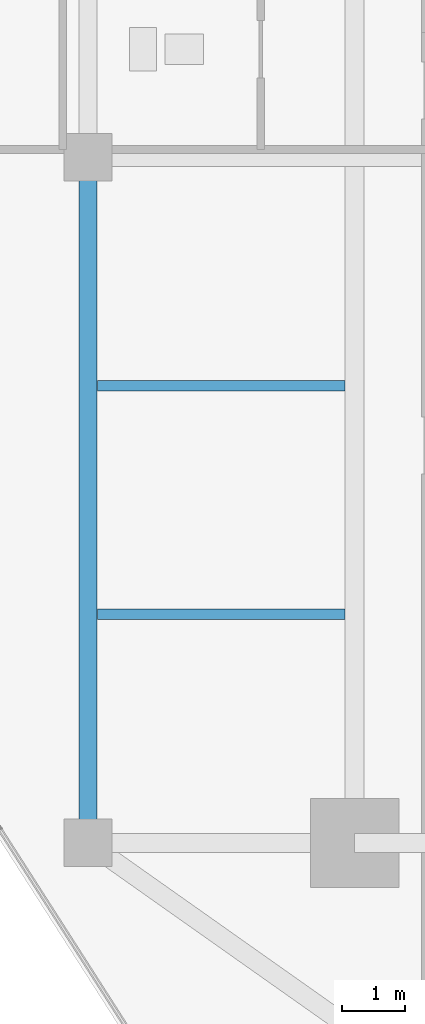
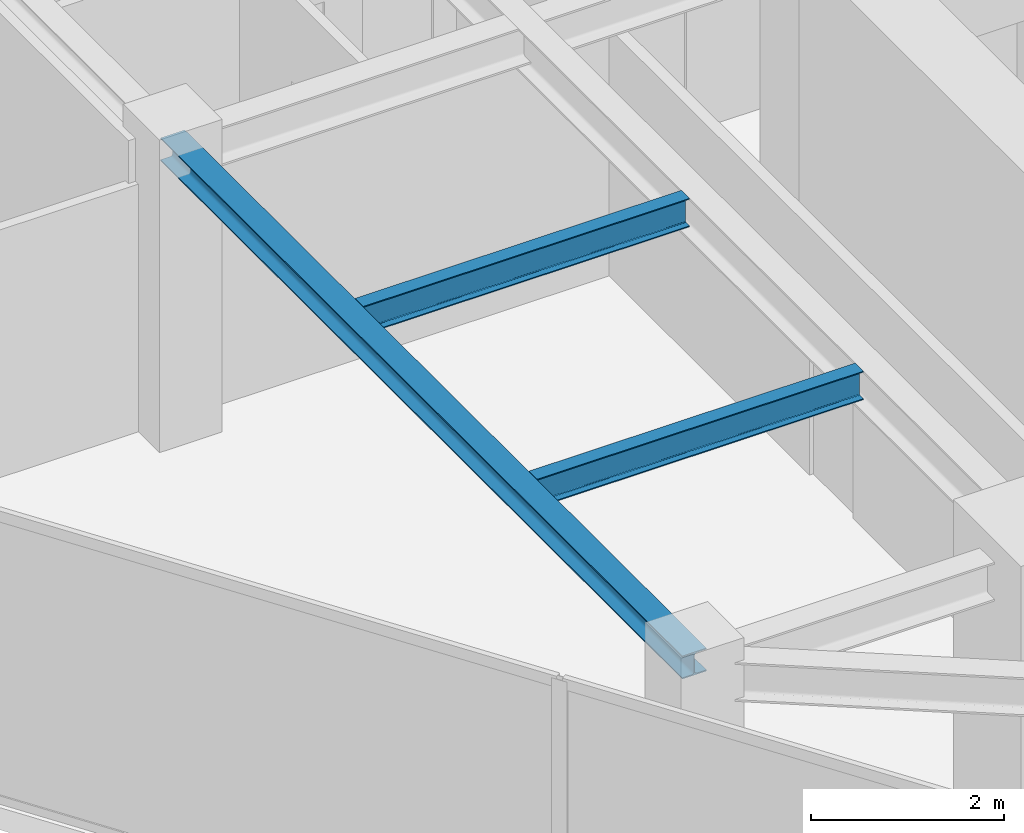
# One storey, part 5 of 20: 3 beams.
"""IFC4 building model written with IfcOpenShell, lengths in metres."""

from ifc_helpers import new_model, si_unit, direction, frame, origin, origin_2d, place, context, subcontext, project, spatial, i_section, extrude, source, transform, mapped, material, material_profile, profile_set, type_object, type_shapes, element, save


model = new_model("IFC4")

# Units and contexts
model_context = context("Model", 3, precision=1e-05, world=origin(), true_north=direction((0.0, 1.0)))
body_context = subcontext(model_context, "Body", "Model", "MODEL_VIEW")
ifc_project = project(units=[si_unit("LENGTHUNIT", "METRE"), si_unit("AREAUNIT", "SQUARE_METRE"), si_unit("VOLUMEUNIT", "CUBIC_METRE"), si_unit("PLANEANGLEUNIT", "RADIAN"), si_unit("MASSUNIT", "GRAM", prefix="KILO")], contexts=[model_context])

# Site, building, storey
site_placement = place(None, origin())
site = spatial("IfcSite", under=ifc_project, at=site_placement, CompositionType="ELEMENT")
building_placement = place(site_placement, origin())
building = spatial("IfcBuilding", under=site, at=building_placement, Name="Krantzveldt Concourse Tower", CompositionType="ELEMENT")
storey_placement = place(building_placement, frame((0.0, 0.0, 291.10009765625)))
storey = spatial("IfcBuildingStorey", under=building, at=storey_placement, Name="L71", CompositionType="ELEMENT", Elevation=291.10009765625)

# Beams
ifc_material = material(Name="Steel S355JR", Category="steel")
ifc_material_profile_1 = material_profile(ifc_material, i_section(OverallWidth=0.2900390625, OverallDepth=0.2900390625, WebThickness=0.008544921875, FlangeThickness=0.013916015625, FilletRadius=0.027099609375, at=origin_2d()), Name="Steel S355JR", Category="steel")
ifc_profile_set_1 = profile_set([ifc_material_profile_1], Name="Steel S355JR - HEA 300")
beam_type_1 = type_object("IfcBeamType", Name="BM-SP-HEA300", PredefinedType="SPANDREL", material=ifc_profile_set_1)
shared_shape_1 = source(origin(), body_context, "Body", "SweptSolid", [
    extrude(i_section(OverallWidth=0.2900390625, OverallDepth=0.2900390625, WebThickness=0.008544921875, FlangeThickness=0.013916015625, FilletRadius=0.027099609375, at=origin_2d()), origin(), (0.0, 0.0, 1.0), 10.800048828125),
])
type_shapes(beam_type_1, [shared_shape_1])
beam_placement = place(storey_placement, frame((21.0, 15.89990234375, 3.52490234375), z_axis=(0.0, 1.0, 0.0), x_axis=(-1.0, 0.0, 0.0)))
element("IfcBeam", 1, at=beam_placement, inside=storey, type_object=beam_type_1, Name="L71 Tower Girder SP-R01", PredefinedType="SPANDREL", context=body_context, shape_type="MappedRepresentation", body=[
    mapped(shared_shape_1, transform((0.0, 0.0, 0.0), x_axis=(1.0, 0.0, 0.0), y_axis=(0.0, 1.0, 0.0), z_axis=(0.0, 0.0, 1.0), scale=1.0)),
])
ifc_material_profile_2 = material_profile(ifc_material, i_section(OverallWidth=0.169921875, OverallDepth=0.360107421875, WebThickness=0.008056640625, FlangeThickness=0.0126953125, FilletRadius=0.01806640625, at=origin_2d()), Name="Steel S355JR", Category="steel")
ifc_profile_set_2 = profile_set([ifc_material_profile_2], Name="Steel S355JR - IPE 360")
beam_type_2 = type_object("IfcBeamType", Name="BM-J-IPE360", PredefinedType="JOIST", material=ifc_profile_set_2)
shared_shape_2 = source(origin(), body_context, "Body", "SweptSolid", [
    extrude(i_section(OverallWidth=0.169921875, OverallDepth=0.360107421875, WebThickness=0.008056640625, FlangeThickness=0.0126953125, FilletRadius=0.01806640625, at=origin_2d()), origin(), (0.0, 0.0, 1.0), 3.900146484375),
])
type_shapes(beam_type_2, [shared_shape_2])
for number, where, z_axis, x_axis, name in (
    (2, (21.14990234375, 19.5, 3.489990234375), (1.0, 0.0, 0.0), (0.0, 1.0, 0.0), "L71 Secondary Floor Joist JW-1"),
    (3, (21.14990234375, 23.10009765625, 3.489990234375), (1.0, 0.0, 0.0), (0.0, 1.0, 0.0), "L71 Secondary Floor Joist JW-2"),
):
    element("IfcBeam", number, at=place(storey_placement, frame(where, z_axis=z_axis, x_axis=x_axis)), inside=storey, type_object=beam_type_2, Name=name, PredefinedType="JOIST", context=body_context, shape_type="MappedRepresentation", body=[
        mapped(shared_shape_2, transform((0.0, 0.0, 0.0), x_axis=(1.0, 0.0, 0.0), y_axis=(0.0, 1.0, 0.0), z_axis=(0.0, 0.0, 1.0), scale=1.0)),
    ])

save(model, "model.ifc")
